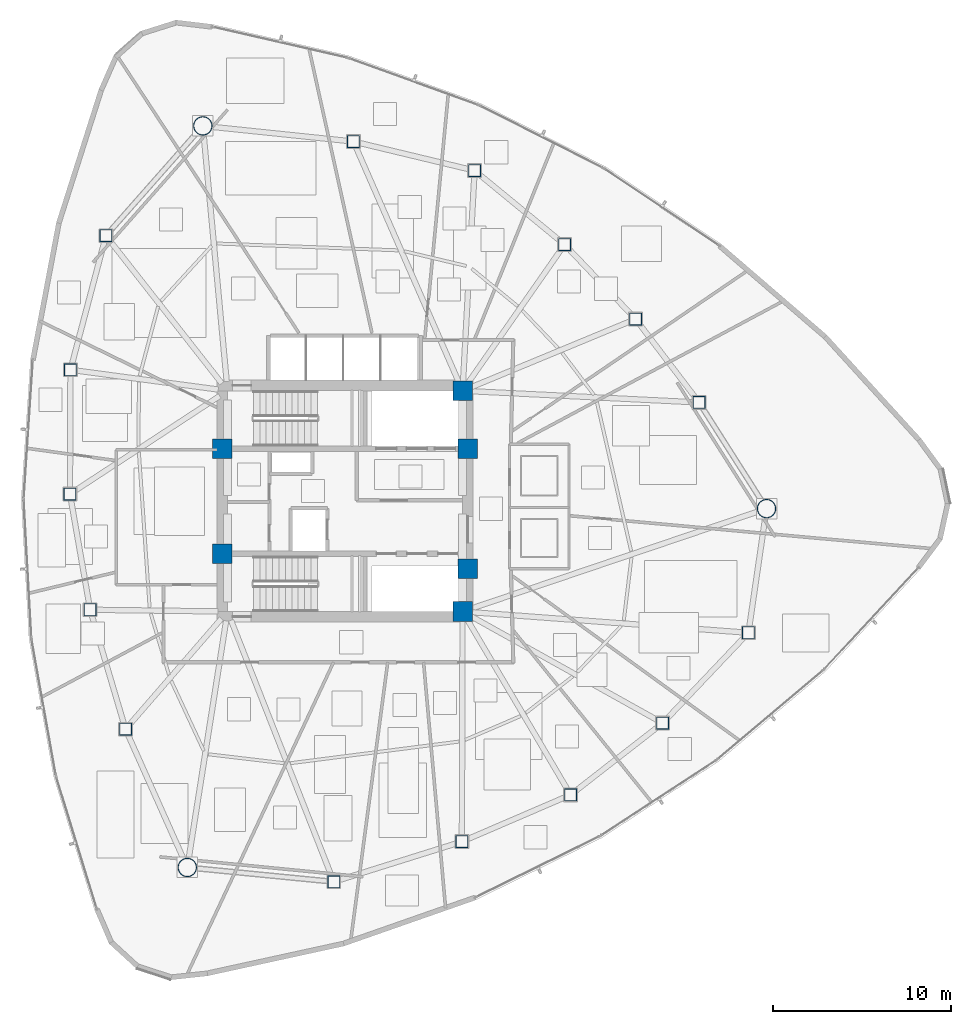
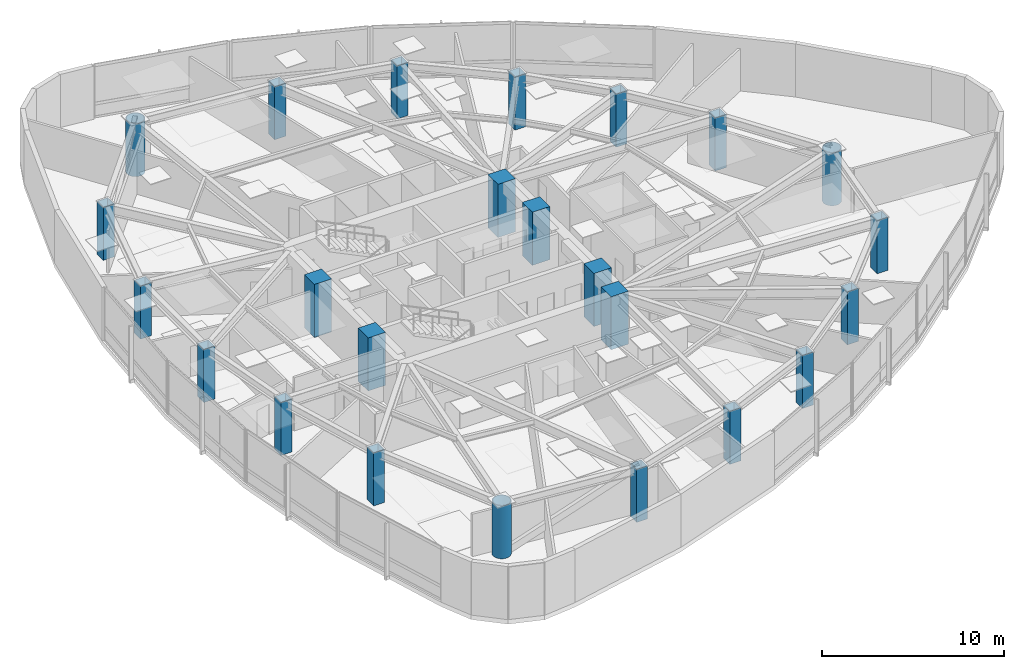
# One storey, part 1 of 18: 24 columns.
"""IFC4 building model written with IfcOpenShell, lengths in metres."""

from ifc_helpers import new_model, si_unit, direction, frame, origin, origin_2d, place, context, subcontext, project, spatial, rectangle, hollow_rectangle, hollow_circle, extrude, material, material_profile, profile_set, type_object, element, save


model = new_model("IFC4")

# Units and contexts
model_context = context("Model", 3, precision=1e-05, world=origin(), true_north=direction((0.0, 1.0)))
body_context = subcontext(model_context, "Body", "Model", "MODEL_VIEW")
ifc_project = project(units=[si_unit("LENGTHUNIT", "METRE"), si_unit("AREAUNIT", "SQUARE_METRE"), si_unit("VOLUMEUNIT", "CUBIC_METRE"), si_unit("PLANEANGLEUNIT", "RADIAN"), si_unit("MASSUNIT", "GRAM", prefix="KILO")], contexts=[model_context])

# Site, building, storey
site_placement = place(None, origin())
site = spatial("IfcSite", under=ifc_project, at=site_placement, CompositionType="ELEMENT")
building_placement = place(site_placement, origin())
building = spatial("IfcBuilding", under=site, at=building_placement, Name="Tavelor Broadcast Tower", CompositionType="ELEMENT")
storey_placement = place(building_placement, frame((0.0, 0.0, 157.949951171875)))
storey = spatial("IfcBuildingStorey", under=building, at=storey_placement, Name="L37", CompositionType="ELEMENT", Elevation=157.949951171875)

# Columns
ifc_material_1 = material(Name="Concrete C60/75", Category="concrete")
ifc_material_profile_1 = material_profile(ifc_material_1, rectangle(XDim=1.10009765625, YDim=1.10009765625, at=origin_2d()), Name="RC 1100x1100")
ifc_profile_set_1 = profile_set([ifc_material_profile_1], Name="Concrete C60/75")
column_type_1 = type_object("IfcColumnType", Name="Core Embedded Composite Column RC1100", PredefinedType="COLUMN", material=ifc_profile_set_1)
for number, where, z_axis, x_axis, name in (
    (1, (43.10009765625, 47.949951171875, 0.0), (0.0, 0.0, 1.0), (1.0, 0.0, 0.0), "L37 Core Embedded Column 1"),
    (2, (56.89990234375, 47.949951171875, 0.0), (0.0, 0.0, 1.0), (1.0, 0.0, 0.0), "L37 Core Embedded Column 2"),
    (3, (56.60009765625, 51.199951171875, 0.0), (0.0, 0.0, 1.0), (1.0, 0.0, 0.0), "L37 Core Embedded Column 3"),
    (4, (43.10009765625, 42.050048828125, 0.0), (0.0, 0.0, 1.0), (1.0, 0.0, 0.0), "L37 Core Embedded Column 4"),
    (5, (56.89990234375, 41.199951171875, 0.0), (0.0, 0.0, 1.0), (1.0, 0.0, 0.0), "L37 Core Embedded Column 5"),
    (6, (56.60009765625, 38.800048828125, 0.0), (0.0, 0.0, 1.0), (1.0, 0.0, 0.0), "L37 Core Embedded Column 6"),
):
    element("IfcColumn", number, at=place(storey_placement, frame(where, z_axis=z_axis, x_axis=x_axis)), inside=storey, type_object=column_type_1, Name=name, PredefinedType="COLUMN", context=body_context, shape_type="SweptSolid", body=[
        extrude(rectangle(XDim=1.10009765625, YDim=1.10009765625, at=origin_2d()), origin(), (0.0, 0.0, 1.0), 3.550048828125),
    ])
ifc_material_2 = material(Name="Steel S460", Category="steel")
ifc_material_profile_2 = material_profile(ifc_material_2, hollow_rectangle(XDim=0.699951171875, YDim=0.699951171875, WallThickness=0.0400390625, at=origin_2d()), Name="SHS 700x700x40")
ifc_profile_set_2 = profile_set([ifc_material_profile_2], Name="Steel S460")
column_type_2 = type_object("IfcColumnType", Name="Perimeter Tube Column T3 SHS 700x700x40", PredefinedType="COLUMN", material=ifc_profile_set_2)
for number, where, z_axis, x_axis, name in (
    (7, (36.567626953125, 59.91064453125, 0.0), (0.0, 0.0, 1.0), (1.0, 0.0, 0.0), "L37 Perimeter Framed-Tube Column 02"),
    (8, (34.5751953125, 52.37939453125, 0.0), (0.0, 0.0, 1.0), (1.0, 0.0, 0.0), "L37 Perimeter Framed-Tube Column 03"),
    (9, (34.54638671875, 45.399169921875, 0.0), (0.0, 0.0, 1.0), (1.0, 0.0, 0.0), "L37 Perimeter Framed-Tube Column 04"),
    (10, (35.680908203125, 38.89990234375, 0.0), (0.0, 0.0, 1.0), (1.0, 0.0, 0.0), "L37 Perimeter Framed-Tube Column 05"),
    (11, (37.668212890625, 32.1904296875, 0.0), (0.0, 0.0, 1.0), (1.0, 0.0, 0.0), "L37 Perimeter Framed-Tube Column 06"),
    (12, (49.366455078125, 23.618896484375, 0.0), (0.0, 0.0, 1.0), (1.0, 0.0, 0.0), "L37 Perimeter Framed-Tube Column 08"),
    (13, (56.56103515625, 25.872802734375, 0.0), (0.0, 0.0, 1.0), (1.0, 0.0, 0.0), "L37 Perimeter Framed-Tube Column 09"),
    (14, (62.669189453125, 28.503173828125, 0.0), (0.0, 0.0, 1.0), (1.0, 0.0, 0.0), "L37 Perimeter Framed-Tube Column 10"),
    (15, (67.84228515625, 32.53173828125, 0.0), (0.0, 0.0, 1.0), (1.0, 0.0, 0.0), "L37 Perimeter Framed-Tube Column 11"),
    (16, (72.6591796875, 37.607421875, 0.0), (0.0, 0.0, 1.0), (1.0, 0.0, 0.0), "L37 Perimeter Framed-Tube Column 12"),
    (17, (69.885986328125, 50.544189453125, 0.0), (0.0, 0.0, 1.0), (1.0, 0.0, 0.0), "L37 Perimeter Framed-Tube Column 14"),
    (18, (66.322021484375, 55.228759765625, 0.0), (0.0, 0.0, 1.0), (1.0, 0.0, 0.0), "L37 Perimeter Framed-Tube Column 15"),
    (19, (62.330810546875, 59.416259765625, 0.0), (0.0, 0.0, 1.0), (1.0, 0.0, 0.0), "L37 Perimeter Framed-Tube Column 16"),
    (20, (57.276611328125, 63.568359375, 0.0), (0.0, 0.0, 1.0), (1.0, 0.0, 0.0), "L37 Perimeter Framed-Tube Column 17"),
    (21, (50.472412109375, 65.2021484375, 0.0), (0.0, 0.0, 1.0), (1.0, 0.0, 0.0), "L37 Perimeter Framed-Tube Column 18"),
):
    element("IfcColumn", number, at=place(storey_placement, frame(where, z_axis=z_axis, x_axis=x_axis)), inside=storey, type_object=column_type_2, Name=name, PredefinedType="COLUMN", context=body_context, shape_type="SweptSolid", body=[
        extrude(hollow_rectangle(XDim=0.699951171875, YDim=0.699951171875, WallThickness=0.0400390625, at=origin_2d()), origin(), (0.0, 0.0, 1.0), 3.550048828125),
    ])
ifc_material_profile_3 = material_profile(ifc_material_2, hollow_circle(Radius=0.533447265625, WallThickness=0.044921875, at=origin_2d()), Name="CHS 1067x45")
ifc_profile_set_3 = profile_set([ifc_material_profile_3], Name="Steel S460")
column_type_3 = type_object("IfcColumnType", Name="Tower Mega Column T3 CHS 1067x45", PredefinedType="COLUMN", material=ifc_profile_set_3)
for number, where, z_axis, x_axis, name in (
    (22, (42.01123046875, 66.080078125, 0.0), (0.0, 0.0, 1.0), (1.0, 0.0, 0.0), "L37 Tower Corner Mega Column 01"),
    (23, (41.138671875, 24.423828125, 0.0), (0.0, 0.0, 1.0), (1.0, 0.0, 0.0), "L37 Tower Corner Mega Column 07"),
    (24, (73.676025390625, 44.57958984375, 0.0), (0.0, 0.0, 1.0), (1.0, 0.0, 0.0), "L37 Tower Corner Mega Column 13"),
):
    element("IfcColumn", number, at=place(storey_placement, frame(where, z_axis=z_axis, x_axis=x_axis)), inside=storey, type_object=column_type_3, Name=name, PredefinedType="COLUMN", context=body_context, shape_type="SweptSolid", body=[
        extrude(hollow_circle(Radius=0.533447265625, WallThickness=0.044921875, at=origin_2d()), origin(), (0.0, 0.0, 1.0), 3.550048828125),
    ])

save(model, "model.ifc")
